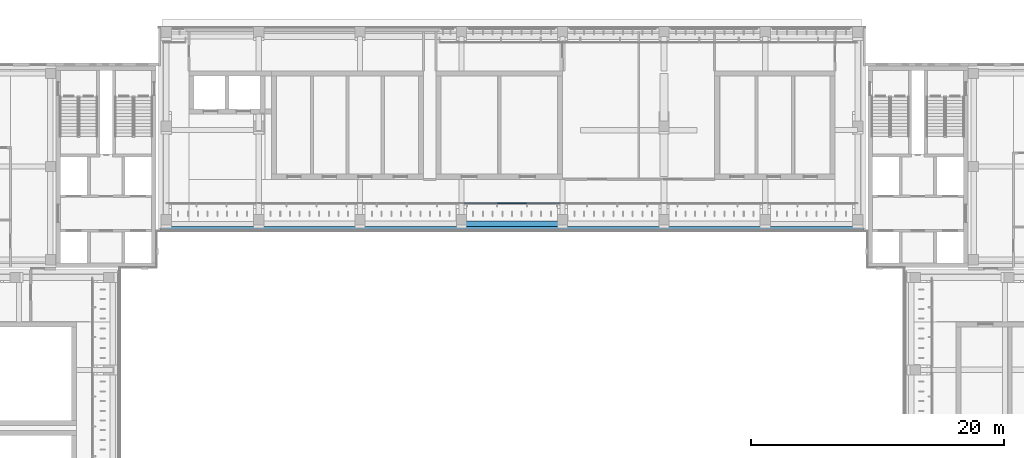
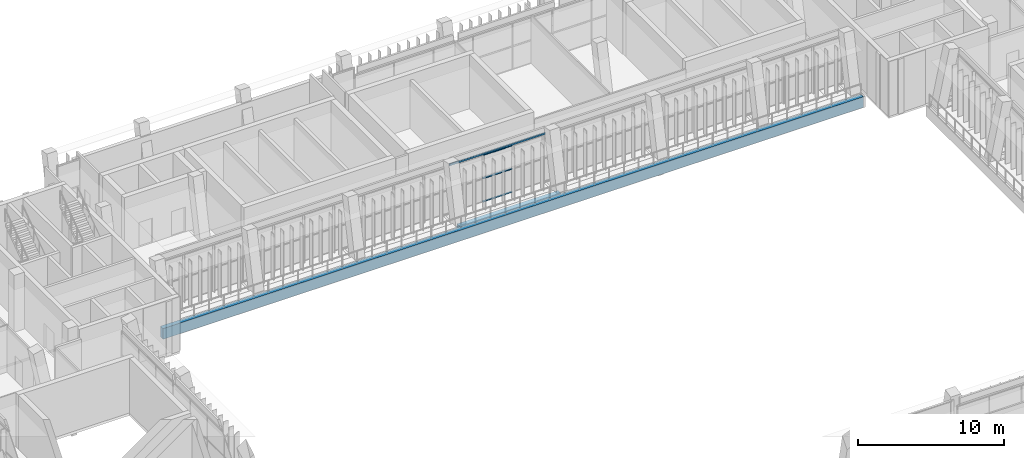
# One storey, part 34 of 89: 3 beams, 3 members, 1 element without a shape of its own.
"""IFC4 building model written with IfcOpenShell, lengths in metres."""

from ifc_helpers import new_model, si_unit, direction, frame, origin, origin_2d, place, context, subcontext, project, spatial, rectangle, hollow_rectangle, extrude, material, material_profile, profile_set, type_object, element, aggregate, save


model = new_model("IFC4")

# Units and contexts
model_context = context("Model", 3, precision=1e-05, world=origin(), true_north=direction((0.0, 1.0)))
body_context = subcontext(model_context, "Body", "Model", "MODEL_VIEW")
ifc_project = project(units=[si_unit("LENGTHUNIT", "METRE"), si_unit("AREAUNIT", "SQUARE_METRE"), si_unit("VOLUMEUNIT", "CUBIC_METRE"), si_unit("PLANEANGLEUNIT", "RADIAN"), si_unit("MASSUNIT", "GRAM", prefix="KILO")], contexts=[model_context])

# Site, building, storey
site_placement = place(None, origin())
site = spatial("IfcSite", under=ifc_project, at=site_placement, CompositionType="ELEMENT")
building_placement = place(site_placement, origin())
building = spatial("IfcBuilding", under=site, at=building_placement, Name="Lantern Court Media Centre", CompositionType="ELEMENT")
storey_placement = place(building_placement, frame((0.0, 0.0, 14.39990234375)))
storey = spatial("IfcBuildingStorey", under=building, at=storey_placement, Name="L03", CompositionType="ELEMENT", Elevation=14.39990234375)

# Curtain wall, members
ifc_material_1 = material(Name="Curtain wall bay 2400")
curtain_wall_type = type_object("IfcCurtainWallType", Name="Curtain wall bay 2400", PredefinedType="NOTDEFINED", material=ifc_material_1)
curtain_wall_placement = place(storey_placement, origin())
curtain_wall = element("IfcCurtainWall", 1, at=curtain_wall_placement, inside=storey, type_object=curtain_wall_type, Name="Curtain wall N inner L03", PredefinedType="NOTDEFINED")
ifc_material_2 = material(Name="Anodised aluminium", Category="aluminium")
ifc_material_profile_1 = material_profile(ifc_material_2, rectangle(XDim=0.10009765625, YDim=0.050048828125, at=origin_2d()), Name="AL 50x100")
ifc_profile_set_1 = profile_set([ifc_material_profile_1], Name="Anodised aluminium")
member_type = type_object("IfcMemberType", Name="Curtain wall transom 100x50", PredefinedType="USERDEFINED", material=ifc_profile_set_1)
member_1_placement = place(storey_placement, frame((50.838134765625, 101.14990234375, 0.025146484375), z_axis=(1.0, 0.0, 0.0), x_axis=(0.0, 1.0, 0.0)))
member_1 = element("IfcMember", 2, at=member_1_placement, type_object=member_type, Name="CW2 transom 12.1", ObjectType="TRANSOM", PredefinedType="USERDEFINED", context=body_context, shape_type="SweptSolid", body=[
    extrude(rectangle(XDim=0.10009765625, YDim=0.050048828125, at=origin_2d()), origin(), (0.0, 0.0, 1.0), 2.32373046875),
])
member_2_placement = place(storey_placement, frame((50.838134765625, 101.14990234375, 1.97509765625), z_axis=(1.0, 0.0, 0.0), x_axis=(0.0, 1.0, 0.0)))
member_2 = element("IfcMember", 3, at=member_2_placement, type_object=member_type, Name="CW2 transom 12.2", ObjectType="TRANSOM", PredefinedType="USERDEFINED", context=body_context, shape_type="SweptSolid", body=[
    extrude(rectangle(XDim=0.10009765625, YDim=0.050048828125, at=origin_2d()), origin(), (0.0, 0.0, 1.0), 2.32373046875),
])
member_3_placement = place(storey_placement, frame((50.838134765625, 101.14990234375, 3.925048828125), z_axis=(1.0, 0.0, 0.0), x_axis=(0.0, 1.0, 0.0)))
member_3 = element("IfcMember", 4, at=member_3_placement, type_object=member_type, Name="CW2 transom 12.3", ObjectType="TRANSOM", PredefinedType="USERDEFINED", context=body_context, shape_type="SweptSolid", body=[
    extrude(rectangle(XDim=0.10009765625, YDim=0.050048828125, at=origin_2d()), origin(), (0.0, 0.0, 1.0), 2.32373046875),
])
aggregate(curtain_wall, [member_1, member_2, member_3])

# Beams
ifc_material_3 = material(Name="Steel S355J2 (EN 10025-2)", Category="steel")
ifc_material_profile_2 = material_profile(ifc_material_3, hollow_rectangle(XDim=0.10009765625, YDim=0.14990234375, WallThickness=0.00634765625, InnerFilletRadius=0.00634765625, OuterFilletRadius=0.009521484375, at=origin_2d()), Name="Facade head lintel RHS 150x100x6.3")
ifc_profile_set_2 = profile_set([ifc_material_profile_2], Name="Steel S355J2 (EN 10025-2)")
beam_type_1 = type_object("IfcBeamType", Name="Facade head lintel RHS 150x100x6.3", PredefinedType="BEAM", material=ifc_profile_set_2)
beam_1_placement = place(storey_placement, frame((48.199951171875, 101.14990234375, 4.025146484375), z_axis=(1.0, 0.0, 0.0), x_axis=(0.0, 1.0, 0.0)))
element("IfcBeam", 5, at=beam_1_placement, inside=storey, type_object=beam_type_1, Name="Facade head lintel N L03", PredefinedType="BEAM", context=body_context, shape_type="SweptSolid", body=[
    extrude(hollow_rectangle(XDim=0.10009765625, YDim=0.14990234375, WallThickness=0.00634765625, InnerFilletRadius=0.00634765625, OuterFilletRadius=0.009521484375, at=origin_2d()), origin(), (0.0, 0.0, 1.0), 7.60009765625),
])
ifc_material_4 = material(Name="Concrete C35", Category="concrete")
ifc_material_profile_3 = material_profile(ifc_material_4, rectangle(XDim=0.35009765625, YDim=0.89990234375, at=origin_2d()), Name="RC 350x900")
ifc_profile_set_3 = profile_set([ifc_material_profile_3], Name="Concrete C35")
beam_type_2 = type_object("IfcBeamType", Name="RC BEAM 350x900", PredefinedType="BEAM", material=ifc_profile_set_3)
beam_2_placement = place(storey_placement, frame((24.25, 99.14990234375, -0.449951171875), z_axis=(1.0, 0.0, 0.0), x_axis=(0.0, 1.0, 0.0)))
element("IfcBeam", 6, at=beam_2_placement, inside=storey, type_object=beam_type_2, Name="EB-N-L03-A", PredefinedType="BEAM", context=body_context, shape_type="SweptSolid", body=[
    extrude(rectangle(XDim=0.35009765625, YDim=0.89990234375, at=origin_2d()), origin(), (0.0, 0.0, 1.0), 55.5),
])
ifc_material_profile_4 = material_profile(ifc_material_4, rectangle(XDim=0.449951171875, YDim=0.699951171875, at=origin_2d()), Name="RC 450x700")
ifc_profile_set_4 = profile_set([ifc_material_profile_4], Name="Concrete C35")
beam_type_3 = type_object("IfcBeamType", Name="RC BEAM 450x700", PredefinedType="BEAM", material=ifc_profile_set_4)
beam_3_placement = place(storey_placement, frame((48.0, 99.527099609375, -0.349853515625), z_axis=(1.0, 0.0, 0.0), x_axis=(0.0, 1.0, 0.0)))
element("IfcBeam", 7, at=beam_3_placement, inside=storey, type_object=beam_type_3, Name="LB-N-L03-0-3", PredefinedType="BEAM", context=body_context, shape_type="SweptSolid", body=[
    extrude(rectangle(XDim=0.449951171875, YDim=0.699951171875, at=origin_2d()), origin(), (0.0, 0.0, 1.0), 8.0),
])

save(model, "model.ifc")
